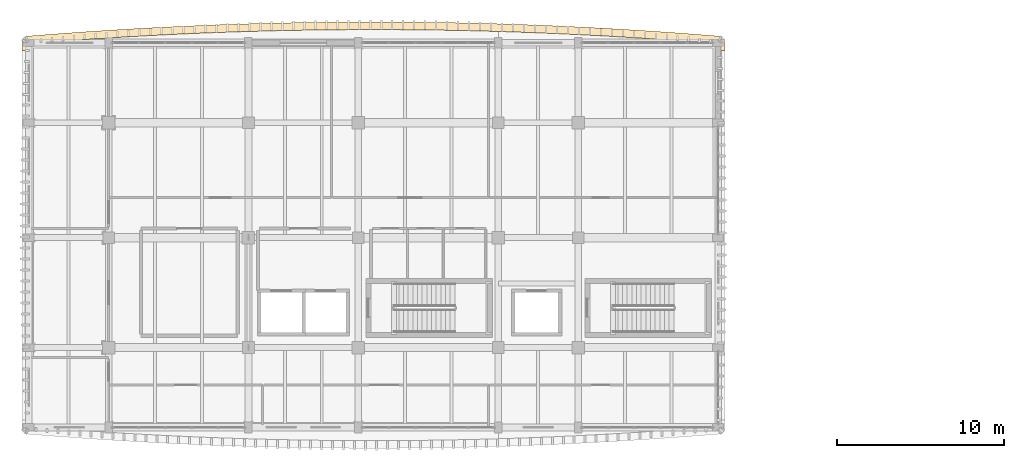
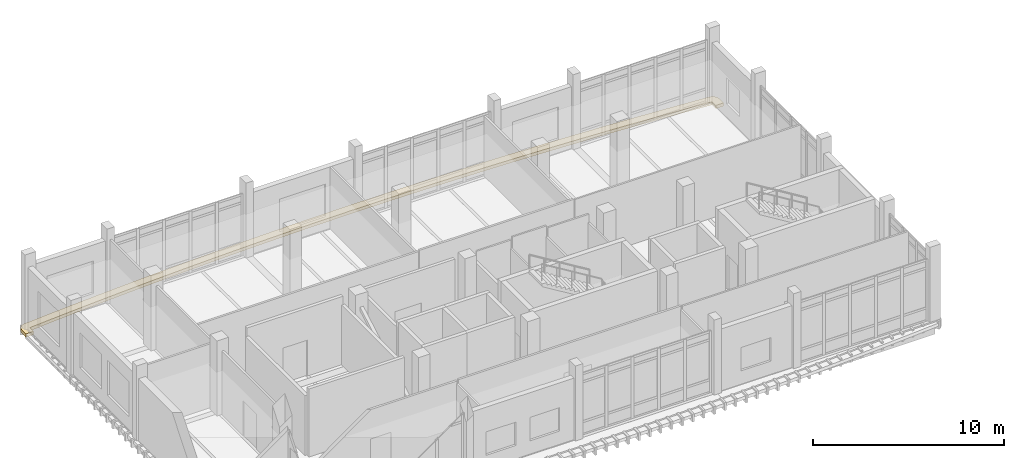
# One storey, part 28 of 37: 1 covering.
"""IFC4 building model written with IfcOpenShell, lengths in metres."""

from ifc_helpers import new_model, si_unit, direction, frame, origin, place, context, subcontext, project, spatial, polyline, outline, extrude, material, layer, layer_set, type_object, element, save


model = new_model("IFC4")

# Units and contexts
model_context = context("Model", 3, precision=1e-05, world=origin(), true_north=direction((0.0, 1.0)))
body_context = subcontext(model_context, "Body", "Model", "MODEL_VIEW")
ifc_project = project(units=[si_unit("LENGTHUNIT", "METRE"), si_unit("AREAUNIT", "SQUARE_METRE"), si_unit("VOLUMEUNIT", "CUBIC_METRE"), si_unit("PLANEANGLEUNIT", "RADIAN"), si_unit("MASSUNIT", "GRAM", prefix="KILO")], contexts=[model_context])

# Site, building, storey
site_placement = place(None, origin())
site = spatial("IfcSite", under=ifc_project, at=site_placement, CompositionType="ELEMENT")
building_placement = place(site_placement, origin())
building = spatial("IfcBuilding", under=site, at=building_placement, Name="Dornvale Research Institute", CompositionType="ELEMENT")
storey_placement = place(building_placement, frame((0.0, 0.0, 29.39990234375)))
storey = spatial("IfcBuildingStorey", under=building, at=storey_placement, Name="L06", CompositionType="ELEMENT", Elevation=29.39990234375)

# Covering
ifc_material = material(Name="Polychrome Glazed Terracotta Visor Rib Ceramic", Category="masonry")
ifc_layer = layer(ifc_material, 0.199951171875)
ifc_layer_set = layer_set([ifc_layer], Name="Polychrome Glazed Terracotta Visor Rib Ceramic")
covering_type = type_object("IfcCoveringType", Name="Covering_VisorBrim_Shelf", PredefinedType="CLADDING", material=ifc_layer_set)
covering_placement = place(storey_placement, frame((0.0, 0.0, -0.27978515625)))
element("IfcCovering", 1, at=covering_placement, inside=storey, type_object=covering_type, Name="L06 V5 canted bowed-brim visor hood #26", PredefinedType="CLADDING", context=body_context, shape_type="SweptSolid", body=[
    extrude(outline(polyline([(-0.37548828125, 122.246826171875), (-0.296142578125, 122.373779296875), (-0.176025390625, 122.462890625), (-0.03173828125, 122.501953125), (1.624267578125, 122.632568359375), (1.626953125, 122.6328125), (3.282958984375, 122.75244140625), (3.28564453125, 122.75244140625), (4.941650390625, 122.861328125), (4.944091796875, 122.861572265625), (6.60009765625, 122.95947265625), (6.602783203125, 122.959716796875), (8.2587890625, 123.046630859375), (8.261474609375, 123.046875), (9.91748046875, 123.123046875), (9.920166015625, 123.123046875), (11.576171875, 123.188232421875), (11.578857421875, 123.1884765625), (13.23486328125, 123.242919921875), (13.2373046875, 123.242919921875), (14.893310546875, 123.28662109375), (14.89599609375, 123.28662109375), (16.552001953125, 123.319091796875), (16.5546875, 123.319091796875), (18.210693359375, 123.341064453125), (18.21337890625, 123.341064453125), (19.869384765625, 123.351806640625), (19.8720703125, 123.351806640625), (21.528076171875, 123.351806640625), (21.530517578125, 123.351806640625), (23.1865234375, 123.341064453125), (23.189208984375, 123.341064453125), (24.84521484375, 123.319091796875), (24.847900390625, 123.319091796875), (26.50390625, 123.28662109375), (26.506591796875, 123.28662109375), (28.16259765625, 123.242919921875), (28.165283203125, 123.242919921875), (29.8212890625, 123.1884765625), (29.823974609375, 123.188232421875), (31.47998046875, 123.123046875), (31.482421875, 123.123046875), (33.138427734375, 123.046875), (33.14111328125, 123.046630859375), (34.797119140625, 122.959716796875), (34.7998046875, 122.95947265625), (36.455810546875, 122.861572265625), (36.45849609375, 122.861328125), (38.114501953125, 122.75244140625), (38.116943359375, 122.75244140625), (39.77294921875, 122.6328125), (39.775634765625, 122.632568359375), (41.431640625, 122.501953125), (41.575927734375, 122.462890625), (41.696044921875, 122.373779296875), (41.775390625, 122.246826171875), (41.80322265625, 122.10009765625), (41.80322265625, 121.64990234375), (41.340087890625, 121.64990234375), (41.340087890625, 122.04443359375), (39.739501953125, 122.1708984375), (38.083984375, 122.290283203125), (36.42822265625, 122.399169921875), (34.772705078125, 122.4970703125), (33.116943359375, 122.583984375), (31.46142578125, 122.660400390625), (29.805908203125, 122.725341796875), (28.150146484375, 122.77978515625), (26.49462890625, 122.823486328125), (24.839111328125, 122.85595703125), (23.183349609375, 122.877685546875), (21.52783203125, 122.888671875), (19.872314453125, 122.888671875), (18.216552734375, 122.877685546875), (16.56103515625, 122.85595703125), (14.905517578125, 122.823486328125), (13.249755859375, 122.77978515625), (11.59423828125, 122.725341796875), (9.938720703125, 122.660400390625), (8.282958984375, 122.583984375), (6.627197265625, 122.4970703125), (4.9716796875, 122.399169921875), (3.316162109375, 122.290283203125), (1.660400390625, 122.1708984375), (0.06005859375, 122.04443359375), (0.06005859375, 121.64990234375), (-0.4033203125, 121.64990234375), (-0.4033203125, 122.10009765625), (-0.37548828125, 122.246826171875)])), origin(), (0.0, 0.0, 1.0), 0.199951171875),
])

save(model, "model.ifc")
